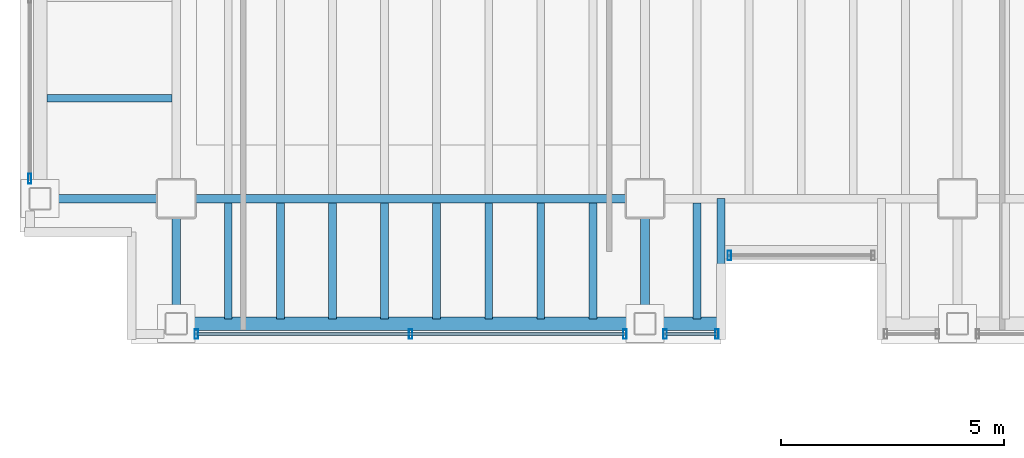
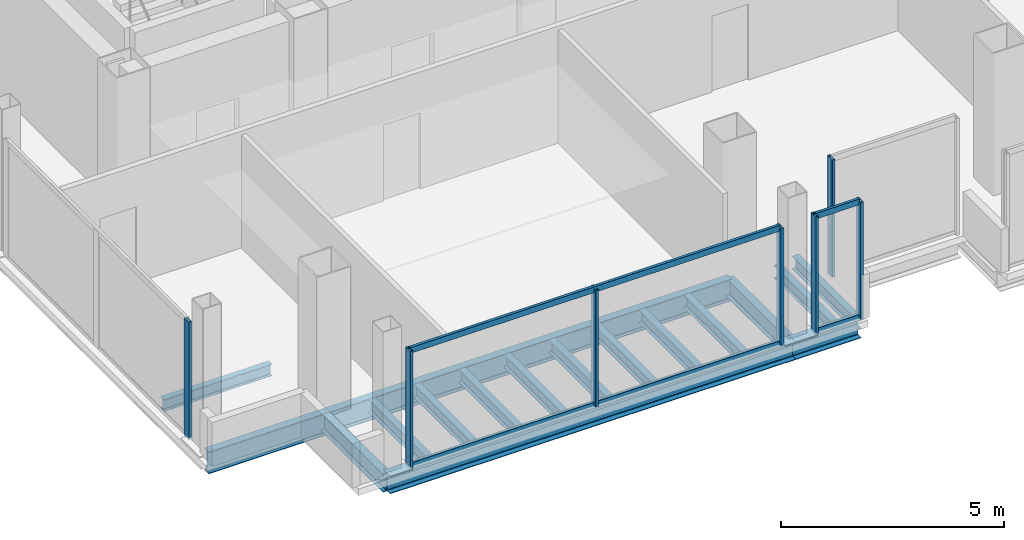
# One storey, part 2 of 16: 17 beams, 11 members, 4 elements without a shape of their own.
"""IFC4 building model written with IfcOpenShell, lengths in metres."""

import ifcopenshell
import ifcopenshell.guid

model = None  # the IFC model being written
_history = None  # IfcOwnerHistory: only IFC2X3 demands one
_inside = {}  # id of a spatial element -> (the spatial element, [elements in it])
_under = {}  # id of a project, library or spatial element -> (it, [spatial elements below it])
_declared = {}  # id of a project -> (the project, [libraries it declares])
_typed = {}  # id of a type object -> (the type object, [elements of that type])
_made_of = {}  # id of a material, layer set ... -> (it, [elements and type objects made of it])


def new_model(schema):
    """Start an empty IFC model of exactly this schema.

    Asked for "IFC4X3", IfcOpenShell would pick the latest addendum, in which some entities
    have other attributes; the version numbers below select the first issue.
    IFC2X3 requires an IfcOwnerHistory on every rooted entity: one is made here for all.
    """
    global model, _history
    if schema == "IFC4X3":
        model = ifcopenshell.file(schema_version=(4, 3, 0, 0))
    else:
        model = ifcopenshell.file(schema=schema)
    _inside.clear()
    _under.clear()
    _declared.clear()
    _typed.clear()
    _made_of.clear()
    _history = None
    if model.schema == "IFC2X3":
        org = make("IfcOrganization", Name="unknown")
        user = make(
            "IfcPersonAndOrganization",
            ThePerson=make("IfcPerson", FamilyName="unknown"),
            TheOrganization=org,
        )
        app = make(
            "IfcApplication",
            ApplicationDeveloper=org,
            Version="unknown",
            ApplicationFullName="unknown",
            ApplicationIdentifier="unknown",
        )
        _history = make(
            "IfcOwnerHistory",
            OwningUser=user,
            OwningApplication=app,
            ChangeAction="ADDED",
            CreationDate=0,
        )
    return model


def make(cls, **values):
    """One entity of the class cls with the attributes given. An attribute that is None is left unset."""
    return model.create_entity(
        cls, **{name: value for name, value in values.items() if value is not None}
    )


def rooted(cls, **values):
    """An entity with a GlobalId (a new one), such as an element, a storey or a relation."""
    return make(cls, GlobalId=ifcopenshell.guid.new(), OwnerHistory=_history, **values)


def si_unit(unit_type, name, prefix=None):
    """IfcSIUnit, for example si_unit("LENGTHUNIT", "METRE", prefix="MILLI")."""
    return make("IfcSIUnit", UnitType=unit_type, Prefix=prefix, Name=name)


def assignment(units):
    """IfcUnitAssignment: the units of a project."""
    return None if units is None else make("IfcUnitAssignment", Units=units)


def point(xyz):
    """IfcCartesianPoint."""
    return None if xyz is None else make("IfcCartesianPoint", Coordinates=xyz)


def direction(xyz):
    """IfcDirection."""
    return None if xyz is None else make("IfcDirection", DirectionRatios=xyz)


def frame(location, z_axis=None, x_axis=None):
    """IfcAxis2Placement3D, a coordinate frame: its origin and axes. An axis left out is left unset."""
    return make(
        "IfcAxis2Placement3D",
        Location=point(location),
        Axis=direction(z_axis),
        RefDirection=direction(x_axis),
    )


def frame_2d(location, x_axis=None):
    """IfcAxis2Placement2D, a coordinate frame in the plane: its origin and x axis."""
    return make(
        "IfcAxis2Placement2D", Location=point(location), RefDirection=direction(x_axis)
    )


def origin():
    """The frame at (0, 0, 0) with its axes left unset."""
    return frame((0.0, 0.0, 0.0))


def origin_2d():
    """The frame at (0, 0) in the plane with its x axis left unset."""
    return frame_2d((0.0, 0.0))


def place(relative_to, where):
    """IfcLocalPlacement: puts the frame where relative to a parent placement (None: the world)."""
    return make(
        "IfcLocalPlacement", PlacementRelTo=relative_to, RelativePlacement=where
    )


def context(
    kind, dimensions, precision=None, world=None, true_north=None, identifier=None
):
    """IfcGeometricRepresentationContext, for example the 3D "Model" context."""
    return make(
        "IfcGeometricRepresentationContext",
        ContextIdentifier=identifier,
        ContextType=kind,
        CoordinateSpaceDimension=dimensions,
        Precision=precision,
        WorldCoordinateSystem=world,
        TrueNorth=true_north,
    )


def subcontext(parent, identifier, kind, view, scale=None):
    """IfcGeometricRepresentationSubContext, for example "Body" below "Model"."""
    return make(
        "IfcGeometricRepresentationSubContext",
        ContextIdentifier=identifier,
        ContextType=kind,
        ParentContext=parent,
        TargetScale=scale,
        TargetView=view,
    )


def project(units=None, contexts=None):
    """IfcProject with its units and contexts."""
    return rooted(
        "IfcProject",
        Name="project",
        RepresentationContexts=contexts,
        UnitsInContext=assignment(units),
    )


def spatial(cls, under=None, at=None, **own):
    """A site, building, storey or space (cls), placed at a placement, below another one or the project."""
    s = rooted(cls, ObjectPlacement=at, **own)
    if under is not None:
        _under.setdefault(under.id(), (under, []))[1].append(s)
    return s


def profile(cls, at=None, kind="AREA", **sizes):
    """A parametric profile (cls). Its sizes go by their IFC names, for example OverallWidth=200.0."""
    return make(cls, ProfileType=kind, Position=at, **sizes)


def hollow_rectangle(**sizes):
    """IfcRectangleHollowProfileDef."""
    return profile("IfcRectangleHollowProfileDef", **sizes)


def i_section(**sizes):
    """IfcIShapeProfileDef."""
    return profile("IfcIShapeProfileDef", **sizes)


def extrude(swept, where, along, depth):
    """IfcExtrudedAreaSolid: the profile swept, set in the frame where, extruded along a direction by depth."""
    return make(
        "IfcExtrudedAreaSolid",
        SweptArea=swept,
        Position=where,
        ExtrudedDirection=direction(along),
        Depth=depth,
    )


def shape(context_of_items, identifier, shape_type, items):
    """IfcShapeRepresentation: the items that make up one representation, for example the "Body"."""
    return make(
        "IfcShapeRepresentation",
        ContextOfItems=context_of_items,
        RepresentationIdentifier=identifier,
        RepresentationType=shape_type,
        Items=items,
    )


def material(Name=None, Category=None):
    """IfcMaterial."""
    return make("IfcMaterial", Name=Name, Category=Category)


def material_profile(
    of_material, cross_section, Name=None, Category=None, Priority=None
):
    """IfcMaterialProfile: a cross section and its material."""
    return make(
        "IfcMaterialProfile",
        Name=Name,
        Material=of_material,
        Profile=cross_section,
        Priority=Priority,
        Category=Category,
    )


def profile_set(profiles, Name=None, composite=None):
    """IfcMaterialProfileSet."""
    return make(
        "IfcMaterialProfileSet",
        Name=Name,
        MaterialProfiles=profiles,
        CompositeProfile=composite,
    )


def made_of(thing, what):
    """Note that an element or type object is made of a material, layer set ...; save() writes the relation."""
    if what is not None:
        _made_of.setdefault(what.id(), (what, []))[1].append(thing)
    return thing


def type_object(cls, material=None, **own):
    """A type object (cls), such as IfcWallType, which elements share."""
    return made_of(rooted(cls, **own), material)


def element(
    cls,
    number,
    at=None,
    inside=None,
    cuts=None,
    type_object=None,
    material=None,
    context=None,
    identifier="Body",
    shape_type=None,
    held_by="IfcProductDefinitionShape",
    body=None,
    shapes=None,
    **own,
):
    """One element of the class cls, such as IfcWall. Its Tag is "e" and its number.

    at: its placement. inside: the storey or other place that contains it. cuts: it is an
    opening in that element (IfcRelVoidsElement). A single representation is given by context,
    identifier, shape_type and body (its items); several are given by shapes. held_by: the class
    of the entity that holds the representations. save() writes the other relations.
    """
    e = rooted(cls, Tag="e%d" % number, ObjectPlacement=at, **own)
    if body is not None:
        shapes = [shape(context, identifier, shape_type, body)]
    if shapes is not None:
        e.Representation = make(held_by, Representations=shapes)
    if inside is not None:
        _inside.setdefault(inside.id(), (inside, []))[1].append(e)
    if cuts is not None:
        rooted(
            "IfcRelVoidsElement", RelatingBuildingElement=cuts, RelatedOpeningElement=e
        )
    if type_object is not None:
        _typed.setdefault(type_object.id(), (type_object, []))[1].append(e)
    return made_of(e, material)


def aggregate(whole, parts):
    """IfcRelAggregates: a whole, such as a stair, and the parts it consists of."""
    return rooted("IfcRelAggregates", RelatingObject=whole, RelatedObjects=parts)


def save(model, path):
    """Write the relations noted so far, then the file.

    IfcRelAggregates (storeys below a building ...), IfcRelContainedInSpatialStructure (elements
    in a storey), IfcRelDefinesByType, IfcRelAssociatesMaterial and IfcRelDeclares: one each for
    every whole, place, type object, material and project.
    """
    for whole, parts in _under.values():
        aggregate(whole, parts)
    for where, things in _inside.values():
        rooted(
            "IfcRelContainedInSpatialStructure",
            RelatedElements=things,
            RelatingStructure=where,
        )
    for kind, things in _typed.values():
        rooted("IfcRelDefinesByType", RelatedObjects=things, RelatingType=kind)
    for what, things in _made_of.values():
        rooted("IfcRelAssociatesMaterial", RelatedObjects=things, RelatingMaterial=what)
    for by, libraries in _declared.values():
        rooted("IfcRelDeclares", RelatingContext=by, RelatedDefinitions=libraries)
    model.write(path)


model = new_model("IFC4")

# Units and contexts
model_context = context("Model", 3, precision=1e-05, world=origin(), true_north=direction((0.0, 1.0)))
body_context = subcontext(model_context, "Body", "Model", "MODEL_VIEW")
ifc_project = project(units=[si_unit("LENGTHUNIT", "METRE"), si_unit("AREAUNIT", "SQUARE_METRE"), si_unit("VOLUMEUNIT", "CUBIC_METRE"), si_unit("PLANEANGLEUNIT", "RADIAN"), si_unit("MASSUNIT", "GRAM", prefix="KILO")], contexts=[model_context])

# Site, building, storey
site_placement = place(None, origin())
site = spatial("IfcSite", under=ifc_project, at=site_placement, CompositionType="ELEMENT")
building_placement = place(site_placement, origin())
building = spatial("IfcBuilding", under=site, at=building_placement, Name="Noeulbin Bourse Tower", CompositionType="ELEMENT")
storey_placement = place(building_placement, frame((0.0, 0.0, 185.10009765625)))
storey = spatial("IfcBuildingStorey", under=building, at=storey_placement, Name="L46", CompositionType="ELEMENT", Elevation=185.10009765625)

# Beams
ifc_material_1 = material(Name="Steel S355", Category="steel")
ifc_material_profile_1 = material_profile(ifc_material_1, i_section(OverallWidth=0.199951171875, OverallDepth=0.5, WebThickness=0.010009765625, FlangeThickness=0.01611328125, FilletRadius=0.02001953125, at=origin_2d()), Name="H-500x200x10x16", Category="LoadBearing")
ifc_profile_set_1 = profile_set([ifc_material_profile_1], Name="Steel S355")
beam_type_1 = type_object("IfcBeamType", Name="BM-GRD-500", PredefinedType="USERDEFINED", material=ifc_profile_set_1)
for number, where, z_axis, x_axis, name in (
    (1, (13.5, 17.199951171875, -0.43017578125), (0.0, 1.0, 0.0), (-1.0, 0.0, 0.0), "Tower Primary Girder NS L46-1.1"),
    (2, (24.0, 17.199951171875, -0.43017578125), (0.0, 1.0, 0.0), (-1.0, 0.0, 0.0), "Tower Primary Girder NS L46-2.1"),
):
    element("IfcBeam", number, at=place(storey_placement, frame(where, z_axis=z_axis, x_axis=x_axis)), inside=storey, type_object=beam_type_1, Name=name, ObjectType="GIRDER", PredefinedType="USERDEFINED", context=body_context, shape_type="SweptSolid", body=[
        extrude(i_section(OverallWidth=0.199951171875, OverallDepth=0.5, WebThickness=0.010009765625, FlangeThickness=0.01611328125, FilletRadius=0.02001953125, at=origin_2d()), origin(), (0.0, 0.0, 1.0), 2.800048828125),
    ])
ifc_material_profile_2 = material_profile(ifc_material_1, i_section(OverallWidth=0.199951171875, OverallDepth=0.60009765625, WebThickness=0.010986328125, FlangeThickness=0.01708984375, FilletRadius=0.02197265625, at=origin_2d()), Name="H-600x200x11x17", Category="LoadBearing")
ifc_profile_set_2 = profile_set([ifc_material_profile_2], Name="Steel S355")
beam_type_2 = type_object("IfcBeamType", Name="BM-GRD-600", PredefinedType="USERDEFINED", material=ifc_profile_set_2)
beam_1_placement = place(storey_placement, frame((10.449951171875, 20.0, -0.47998046875), z_axis=(1.0, 0.0, 0.0), x_axis=(0.0, 1.0, 0.0)))
element("IfcBeam", 3, at=beam_1_placement, inside=storey, type_object=beam_type_2, Name="Tower Primary Girder EW L46-1.1", ObjectType="GIRDER", PredefinedType="USERDEFINED", context=body_context, shape_type="SweptSolid", body=[
    extrude(i_section(OverallWidth=0.199951171875, OverallDepth=0.60009765625, WebThickness=0.010986328125, FlangeThickness=0.01708984375, FilletRadius=0.02197265625, at=origin_2d()), origin(), (0.0, 0.0, 1.0), 3.050048828125),
])
beam_2_placement = place(storey_placement, frame((13.5, 20.0, -0.47998046875), z_axis=(1.0, 0.0, 0.0), x_axis=(0.0, 1.0, 0.0)))
element("IfcBeam", 4, at=beam_2_placement, inside=storey, type_object=beam_type_2, Name="Tower Primary Girder EW L46-1.2", ObjectType="GIRDER", PredefinedType="USERDEFINED", context=body_context, shape_type="SweptSolid", body=[
    extrude(i_section(OverallWidth=0.199951171875, OverallDepth=0.60009765625, WebThickness=0.010986328125, FlangeThickness=0.01708984375, FilletRadius=0.02197265625, at=origin_2d()), origin(), (0.0, 0.0, 1.0), 10.5),
])
ifc_material_profile_3 = material_profile(ifc_material_1, i_section(OverallWidth=0.159912109375, OverallDepth=0.320068359375, WebThickness=0.006591796875, FlangeThickness=0.010009765625, FilletRadius=0.012939453125, at=origin_2d()), Name="H-320x160x6.5x10", Category="LoadBearing")
ifc_profile_set_3 = profile_set([ifc_material_profile_3], Name="Steel S355")
beam_type_3 = type_object("IfcBeamType", Name="BM-JST-320", PredefinedType="JOIST", material=ifc_profile_set_3)
beam_3_placement = place(storey_placement, frame((10.60009765625, 22.25, -0.340087890625), z_axis=(1.0, 0.0, 0.0), x_axis=(0.0, 1.0, 0.0)))
element("IfcBeam", 5, at=beam_3_placement, inside=storey, type_object=beam_type_3, Name="Wing Composite Joist L46-W67", PredefinedType="JOIST", context=body_context, shape_type="SweptSolid", body=[
    extrude(i_section(OverallWidth=0.159912109375, OverallDepth=0.320068359375, WebThickness=0.006591796875, FlangeThickness=0.010009765625, FilletRadius=0.012939453125, at=origin_2d()), origin(), (0.0, 0.0, 1.0), 2.7998046875),
])
ifc_material_profile_4 = material_profile(ifc_material_1, i_section(OverallWidth=0.175048828125, OverallDepth=0.35009765625, WebThickness=0.007080078125, FlangeThickness=0.010986328125, FilletRadius=0.013916015625, at=origin_2d()), Name="H-350x175x7x11", Category="LoadBearing")
ifc_profile_set_4 = profile_set([ifc_material_profile_4], Name="Steel S355")
beam_type_4 = type_object("IfcBeamType", Name="BM-JST-350", PredefinedType="JOIST", material=ifc_profile_set_4)
beam_4_placement = place(storey_placement, frame((25.699951171875, 17.199951171875, -0.35498046875), z_axis=(0.0, 1.0, 0.0), x_axis=(-1.0, 0.0, 0.0)))
element("IfcBeam", 6, at=beam_4_placement, inside=storey, type_object=beam_type_4, Name="BM-L46-SRT-W", PredefinedType="JOIST", context=body_context, shape_type="SweptSolid", body=[
    extrude(i_section(OverallWidth=0.175048828125, OverallDepth=0.35009765625, WebThickness=0.007080078125, FlangeThickness=0.010986328125, FilletRadius=0.013916015625, at=origin_2d()), origin(), (0.0, 0.0, 1.0), 2.800048828125),
])
for number, where, z_axis, x_axis, name in (
    (7, (14.666748046875, 17.300048828125, -0.35498046875), (0.0, 1.0, 0.0), (-1.0, 0.0, 0.0), "Tower Composite Joist L46-01"),
    (8, (15.833251953125, 17.300048828125, -0.35498046875), (0.0, 1.0, 0.0), (-1.0, 0.0, 0.0), "Tower Composite Joist L46-04"),
    (9, (17.0, 17.300048828125, -0.35498046875), (0.0, 1.0, 0.0), (-1.0, 0.0, 0.0), "Tower Composite Joist L46-07"),
    (10, (18.166748046875, 17.300048828125, -0.35498046875), (0.0, 1.0, 0.0), (-1.0, 0.0, 0.0), "Tower Composite Joist L46-10"),
    (11, (19.333251953125, 17.300048828125, -0.35498046875), (0.0, 1.0, 0.0), (-1.0, 0.0, 0.0), "Tower Composite Joist L46-13"),
    (12, (20.5, 17.300048828125, -0.35498046875), (0.0, 1.0, 0.0), (-1.0, 0.0, 0.0), "Tower Composite Joist L46-16"),
    (13, (21.666748046875, 17.300048828125, -0.35498046875), (0.0, 1.0, 0.0), (-1.0, 0.0, 0.0), "Tower Composite Joist L46-19"),
    (14, (22.833251953125, 17.300048828125, -0.35498046875), (0.0, 1.0, 0.0), (-1.0, 0.0, 0.0), "Tower Composite Joist L46-22"),
    (15, (25.166748046875, 17.300048828125, -0.35498046875), (0.0, 1.0, 0.0), (-1.0, 0.0, 0.0), "Tower Composite Joist L46-25"),
):
    element("IfcBeam", number, at=place(storey_placement, frame(where, z_axis=z_axis, x_axis=x_axis)), inside=storey, type_object=beam_type_4, Name=name, PredefinedType="JOIST", context=body_context, shape_type="SweptSolid", body=[
        extrude(i_section(OverallWidth=0.175048828125, OverallDepth=0.35009765625, WebThickness=0.007080078125, FlangeThickness=0.010986328125, FilletRadius=0.013916015625, at=origin_2d()), origin(), (0.0, 0.0, 1.0), 2.599853515625),
    ])
ifc_material_profile_5 = material_profile(ifc_material_1, i_section(OverallWidth=0.300048828125, OverallDepth=0.488037109375, WebThickness=0.010986328125, FlangeThickness=0.01806640625, FilletRadius=0.02197265625, at=origin_2d()), Name="H-488x300x11x18", Category="LoadBearing")
ifc_profile_set_5 = profile_set([ifc_material_profile_5], Name="Steel S355")
beam_type_5 = type_object("IfcBeamType", Name="BM-SPN-488", PredefinedType="SPANDREL", material=ifc_profile_set_5)
beam_5_placement = place(storey_placement, frame((13.5, 17.199951171875, -0.424072265625), z_axis=(1.0, 0.0, 0.0), x_axis=(0.0, 1.0, 0.0)))
element("IfcBeam", 16, at=beam_5_placement, inside=storey, type_object=beam_type_5, Name="South Spandrel L46-1", PredefinedType="SPANDREL", context=body_context, shape_type="SweptSolid", body=[
    extrude(i_section(OverallWidth=0.300048828125, OverallDepth=0.488037109375, WebThickness=0.010986328125, FlangeThickness=0.01806640625, FilletRadius=0.02197265625, at=origin_2d()), origin(), (0.0, 0.0, 1.0), 10.5),
])
beam_6_placement = place(storey_placement, frame((24.0, 17.199951171875, -0.424072265625), z_axis=(1.0, 0.0, 0.0), x_axis=(0.0, 1.0, 0.0)))
element("IfcBeam", 17, at=beam_6_placement, inside=storey, type_object=beam_type_5, Name="South Spandrel L46-2A", PredefinedType="SPANDREL", context=body_context, shape_type="SweptSolid", body=[
    extrude(i_section(OverallWidth=0.300048828125, OverallDepth=0.488037109375, WebThickness=0.010986328125, FlangeThickness=0.01806640625, FilletRadius=0.02197265625, at=origin_2d()), origin(), (0.0, 0.0, 1.0), 1.699951171875),
])

# Curtain wall, member
ifc_material_2 = material(Name="Dark Tinted Triple Glazing", Category="glass")
curtain_wall_type = type_object("IfcCurtainWallType", Name="CW-SYS-3", PredefinedType="NOTDEFINED", material=ifc_material_2)
curtain_wall_1_placement = place(storey_placement, origin())
curtain_wall_1 = element("IfcCurtainWall", 18, at=curtain_wall_1_placement, inside=storey, type_object=curtain_wall_type, Name="Unitised Curtain Wall CW-L46-SREC", PredefinedType="NOTDEFINED")
ifc_material_3 = material(Name="Anodised Aluminium 6063-T6", Category="aluminium")
ifc_material_profile_6 = material_profile(ifc_material_3, hollow_rectangle(XDim=0.074951171875, YDim=0.219970703125, WallThickness=0.0048828125, InnerFilletRadius=0.00244140625, OuterFilletRadius=0.0048828125, at=origin_2d()), Name="ALU-MULL-75x220x5", Category="LoadBearing")
ifc_profile_set_6 = profile_set([ifc_material_profile_6], Name="Anodised Aluminium 6063-T6")
member_type_1 = type_object("IfcMemberType", Name="CW-SYS-3-MUL", PredefinedType="MULLION", material=ifc_profile_set_6)
member_1_placement = place(storey_placement, frame((25.889892578125, 18.72998046875, -0.02001953125), z_axis=(0.0, 0.0, 1.0), x_axis=(1.0, 0.0, 0.0)))
member_1 = element("IfcMember", 19, at=member_1_placement, type_object=member_type_1, Name="Curtain Wall Mullion CW-L46-SREC-M00", PredefinedType="MULLION", context=body_context, shape_type="SweptSolid", body=[
    extrude(hollow_rectangle(XDim=0.074951171875, YDim=0.219970703125, WallThickness=0.0048828125, InnerFilletRadius=0.00244140625, OuterFilletRadius=0.0048828125, at=origin_2d()), origin(), (0.0, 0.0, 1.0), 3.219970703125),
])
aggregate(curtain_wall_1, [member_1])

# Curtain wall, members
curtain_wall_2_placement = place(storey_placement, origin())
curtain_wall_2 = element("IfcCurtainWall", 20, at=curtain_wall_2_placement, inside=storey, type_object=curtain_wall_type, Name="Unitised Curtain Wall CW-L46-S1-S1", PredefinedType="NOTDEFINED")
member_2_placement = place(storey_placement, frame((13.949951171875, 16.969970703125, -0.02001953125), z_axis=(0.0, 0.0, 1.0), x_axis=(1.0, 0.0, 0.0)))
member_2 = element("IfcMember", 21, at=member_2_placement, type_object=member_type_1, Name="Curtain Wall Mullion CW-L46-S1-S1-M00", PredefinedType="MULLION", context=body_context, shape_type="SweptSolid", body=[
    extrude(hollow_rectangle(XDim=0.074951171875, YDim=0.219970703125, WallThickness=0.0048828125, InnerFilletRadius=0.00244140625, OuterFilletRadius=0.0048828125, at=origin_2d()), origin(), (0.0, 0.0, 1.0), 3.219970703125),
])
member_3_placement = place(storey_placement, frame((18.75, 16.969970703125, -0.02001953125), z_axis=(0.0, 0.0, 1.0), x_axis=(1.0, 0.0, 0.0)))
member_3 = element("IfcMember", 22, at=member_3_placement, type_object=member_type_1, Name="Curtain Wall Mullion CW-L46-S1-S1-M01", PredefinedType="MULLION", context=body_context, shape_type="SweptSolid", body=[
    extrude(hollow_rectangle(XDim=0.074951171875, YDim=0.219970703125, WallThickness=0.0048828125, InnerFilletRadius=0.00244140625, OuterFilletRadius=0.0048828125, at=origin_2d()), origin(), (0.0, 0.0, 1.0), 3.219970703125),
])
member_4_placement = place(storey_placement, frame((23.550048828125, 16.969970703125, -0.02001953125), z_axis=(0.0, 0.0, 1.0), x_axis=(1.0, 0.0, 0.0)))
member_4 = element("IfcMember", 23, at=member_4_placement, type_object=member_type_1, Name="Curtain Wall Mullion CW-L46-S1-S1-M02", PredefinedType="MULLION", context=body_context, shape_type="SweptSolid", body=[
    extrude(hollow_rectangle(XDim=0.074951171875, YDim=0.219970703125, WallThickness=0.0048828125, InnerFilletRadius=0.00244140625, OuterFilletRadius=0.0048828125, at=origin_2d()), origin(), (0.0, 0.0, 1.0), 3.219970703125),
])

curtain_wall_3_placement = place(storey_placement, origin())
curtain_wall_3 = element("IfcCurtainWall", 24, at=curtain_wall_3_placement, inside=storey, type_object=curtain_wall_type, Name="Unitised Curtain Wall CW-L46-S1-S2", PredefinedType="NOTDEFINED")
member_5_placement = place(storey_placement, frame((24.449951171875, 16.969970703125, -0.02001953125), z_axis=(0.0, 0.0, 1.0), x_axis=(1.0, 0.0, 0.0)))
member_5 = element("IfcMember", 25, at=member_5_placement, type_object=member_type_1, Name="Curtain Wall Mullion CW-L46-S1-S2-M00", PredefinedType="MULLION", context=body_context, shape_type="SweptSolid", body=[
    extrude(hollow_rectangle(XDim=0.074951171875, YDim=0.219970703125, WallThickness=0.0048828125, InnerFilletRadius=0.00244140625, OuterFilletRadius=0.0048828125, at=origin_2d()), origin(), (0.0, 0.0, 1.0), 3.219970703125),
])
member_6_placement = place(storey_placement, frame((25.610107421875, 16.969970703125, -0.02001953125), z_axis=(0.0, 0.0, 1.0), x_axis=(1.0, 0.0, 0.0)))
member_6 = element("IfcMember", 26, at=member_6_placement, type_object=member_type_1, Name="Curtain Wall Mullion CW-L46-S1-S2-M01", PredefinedType="MULLION", context=body_context, shape_type="SweptSolid", body=[
    extrude(hollow_rectangle(XDim=0.074951171875, YDim=0.219970703125, WallThickness=0.0048828125, InnerFilletRadius=0.00244140625, OuterFilletRadius=0.0048828125, at=origin_2d()), origin(), (0.0, 0.0, 1.0), 3.219970703125),
])

# Curtain wall, member
curtain_wall_4_placement = place(storey_placement, origin())
curtain_wall_4 = element("IfcCurtainWall", 27, at=curtain_wall_4_placement, inside=storey, type_object=curtain_wall_type, Name="Unitised Curtain Wall CW-L46-W-S1", PredefinedType="NOTDEFINED")
member_7_placement = place(storey_placement, frame((10.219970703125, 20.449951171875, -0.02001953125), z_axis=(0.0, 0.0, 1.0), x_axis=(1.0, 0.0, 0.0)))
member_7 = element("IfcMember", 28, at=member_7_placement, type_object=member_type_1, Name="Curtain Wall Mullion CW-L46-W-S1-M00", PredefinedType="MULLION", context=body_context, shape_type="SweptSolid", body=[
    extrude(hollow_rectangle(XDim=0.074951171875, YDim=0.219970703125, WallThickness=0.0048828125, InnerFilletRadius=0.00244140625, OuterFilletRadius=0.0048828125, at=origin_2d()), origin(), (0.0, 0.0, 1.0), 3.219970703125),
])
aggregate(curtain_wall_4, [member_7])

# Member
ifc_material_profile_7 = material_profile(ifc_material_3, hollow_rectangle(XDim=0.074951171875, YDim=0.159912109375, WallThickness=0.0048828125, InnerFilletRadius=0.00244140625, OuterFilletRadius=0.0048828125, at=origin_2d()), Name="ALU-TRAN-75x160x5", Category="LoadBearing")
ifc_profile_set_7 = profile_set([ifc_material_profile_7], Name="Anodised Aluminium 6063-T6")
member_type_2 = type_object("IfcMemberType", Name="CW-SYS-3-TRN", PredefinedType="USERDEFINED", material=ifc_profile_set_7)
member_8_placement = place(storey_placement, frame((13.9599609375, 16.969970703125, 0.010009765625), z_axis=(1.0, 0.0, 0.0), x_axis=(0.0, 1.0, 0.0)))
member_8 = element("IfcMember", 29, at=member_8_placement, type_object=member_type_2, Name="Curtain Wall Transom CW-L46-S1-S1-T00", ObjectType="TRANSOM", PredefinedType="USERDEFINED", context=body_context, shape_type="SweptSolid", body=[
    extrude(hollow_rectangle(XDim=0.074951171875, YDim=0.159912109375, WallThickness=0.0048828125, InnerFilletRadius=0.00244140625, OuterFilletRadius=0.0048828125, at=origin_2d()), origin(), (0.0, 0.0, 1.0), 9.580078125),
])

member_9_placement = place(storey_placement, frame((13.9599609375, 16.969970703125, 3.169921875), z_axis=(1.0, 0.0, 0.0), x_axis=(0.0, 1.0, 0.0)))
member_9 = element("IfcMember", 30, at=member_9_placement, type_object=member_type_2, Name="Curtain Wall Transom CW-L46-S1-S1-T01", ObjectType="TRANSOM", PredefinedType="USERDEFINED", context=body_context, shape_type="SweptSolid", body=[
    extrude(hollow_rectangle(XDim=0.074951171875, YDim=0.159912109375, WallThickness=0.0048828125, InnerFilletRadius=0.00244140625, OuterFilletRadius=0.0048828125, at=origin_2d()), origin(), (0.0, 0.0, 1.0), 9.580078125),
])

aggregate(curtain_wall_2, [member_2, member_3, member_4, member_8, member_9])

member_10_placement = place(storey_placement, frame((24.4599609375, 16.969970703125, 0.010009765625), z_axis=(1.0, 0.0, 0.0), x_axis=(0.0, 1.0, 0.0)))
member_10 = element("IfcMember", 31, at=member_10_placement, type_object=member_type_2, Name="Curtain Wall Transom CW-L46-S1-S2-T00", ObjectType="TRANSOM", PredefinedType="USERDEFINED", context=body_context, shape_type="SweptSolid", body=[
    extrude(hollow_rectangle(XDim=0.074951171875, YDim=0.159912109375, WallThickness=0.0048828125, InnerFilletRadius=0.00244140625, OuterFilletRadius=0.0048828125, at=origin_2d()), origin(), (0.0, 0.0, 1.0), 1.14013671875),
])

member_11_placement = place(storey_placement, frame((24.4599609375, 16.969970703125, 3.169921875), z_axis=(1.0, 0.0, 0.0), x_axis=(0.0, 1.0, 0.0)))
member_11 = element("IfcMember", 32, at=member_11_placement, type_object=member_type_2, Name="Curtain Wall Transom CW-L46-S1-S2-T01", ObjectType="TRANSOM", PredefinedType="USERDEFINED", context=body_context, shape_type="SweptSolid", body=[
    extrude(hollow_rectangle(XDim=0.074951171875, YDim=0.159912109375, WallThickness=0.0048828125, InnerFilletRadius=0.00244140625, OuterFilletRadius=0.0048828125, at=origin_2d()), origin(), (0.0, 0.0, 1.0), 1.14013671875),
])

aggregate(curtain_wall_3, [member_5, member_6, member_10, member_11])

save(model, "model.ifc")
